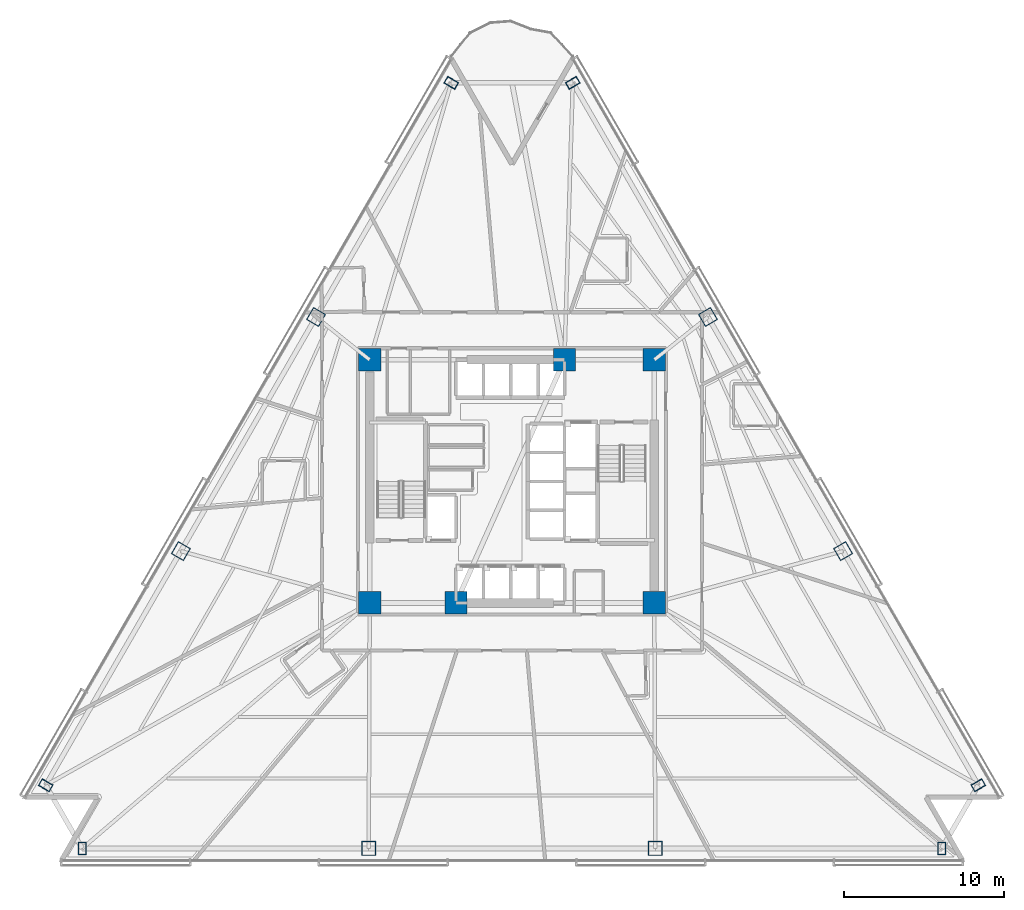
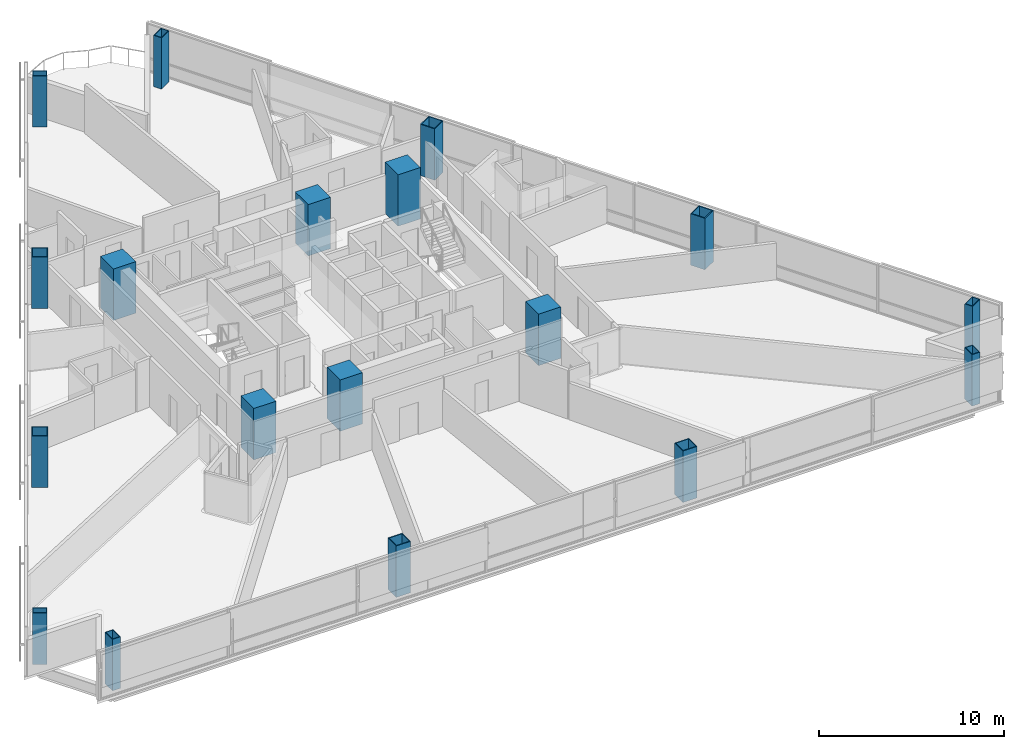
# One storey, part 1 of 18: 18 columns.
"""IFC4 building model written with IfcOpenShell, lengths in metres."""

from ifc_helpers import new_model, si_unit, direction, frame, origin, origin_2d, place, context, subcontext, project, spatial, rectangle, hollow_rectangle, extrude, material, material_profile, profile_set, type_object, element, save


model = new_model("IFC4")

# Units and contexts
model_context = context("Model", 3, precision=1e-05, world=origin(), true_north=direction((0.0, 1.0)))
body_context = subcontext(model_context, "Body", "Model", "MODEL_VIEW")
ifc_project = project(units=[si_unit("LENGTHUNIT", "METRE"), si_unit("AREAUNIT", "SQUARE_METRE"), si_unit("VOLUMEUNIT", "CUBIC_METRE"), si_unit("PLANEANGLEUNIT", "RADIAN"), si_unit("MASSUNIT", "GRAM", prefix="KILO")], contexts=[model_context])

# Site, building, storey
site_placement = place(None, origin())
site = spatial("IfcSite", under=ifc_project, at=site_placement, CompositionType="ELEMENT")
building_placement = place(site_placement, origin())
building = spatial("IfcBuilding", under=site, at=building_placement, Name="Tharavind Bronze Gate", CompositionType="ELEMENT")
storey_placement = place(building_placement, frame((0.0, 0.0, 38.64990234375)))
storey = spatial("IfcBuildingStorey", under=building, at=storey_placement, Name="L08", CompositionType="ELEMENT", Elevation=38.64990234375)

# Columns
ifc_material_1 = material(Name="Steel S460", Category="steel")
ifc_material_profile_1 = material_profile(ifc_material_1, hollow_rectangle(XDim=0.5, YDim=0.800048828125, WallThickness=0.0400390625, at=origin_2d()), Name="RHS800X500X40")
ifc_profile_set_1 = profile_set([ifc_material_profile_1], Name="Steel S460")
column_type_1 = type_object("IfcColumnType", Name="CORNER NOTCH COLUMN RHS800X500", PredefinedType="COLUMN", material=ifc_profile_set_1)
for number, where, z_axis, x_axis, name in (
    (1, (-3.800048828125, 24.918212890625, 0.0), (0.0, 0.0, 1.0), (0.500001511499, 0.866024531118, 0.0), "L08 perimeter column S1C1"),
    (2, (-29.15673828125, -19.0009765625, 0.0), (0.0, 0.0, 1.0), (0.500001511499, 0.866024531118, 0.0), "L08 perimeter column S1C4"),
    (3, (-26.876708984375, -22.949951171875, 0.0), (0.0, 0.0, 1.0), (1.0, 0.0, 0.0), "L08 perimeter column S2C1"),
    (4, (26.876708984375, -22.949951171875, 0.0), (0.0, 0.0, 1.0), (1.0, 0.0, 0.0), "L08 perimeter column S2C4"),
    (5, (29.15673828125, -19.0009765625, 0.0), (0.0, 0.0, 1.0), (-0.500001511499, 0.866024531118, 0.0), "L08 perimeter column S3C1"),
    (6, (3.800048828125, 24.918212890625, 0.0), (0.0, 0.0, 1.0), (-0.500001511499, 0.866024531118, 0.0), "L08 perimeter column S3C4"),
):
    element("IfcColumn", number, at=place(storey_placement, frame(where, z_axis=z_axis, x_axis=x_axis)), inside=storey, type_object=column_type_1, Name=name, PredefinedType="COLUMN", context=body_context, shape_type="SweptSolid", body=[
        extrude(hollow_rectangle(XDim=0.5, YDim=0.800048828125, WallThickness=0.0400390625, at=origin_2d()), origin(), (0.0, 0.0, 1.0), 3.400146484375),
    ])
ifc_material_2 = material(Name="Concrete C70/85", Category="concrete")
ifc_material_profile_2 = material_profile(ifc_material_2, rectangle(XDim=1.39990234375, YDim=1.39990234375, at=origin_2d()), Name="RCCOL1400")
ifc_profile_set_2 = profile_set([ifc_material_profile_2], Name="Concrete C70/85")
column_type_2 = type_object("IfcColumnType", Name="MEGA CORE COLUMN 1400", PredefinedType="COLUMN", material=ifc_profile_set_2)
for number, where, z_axis, x_axis, name in (
    (7, (-8.89990234375, -7.60009765625, 0.0), (0.0, 0.0, 1.0), (1.0, 0.0, 0.0), "L08 core mega column MC1"),
    (8, (-3.5, -7.60009765625, 0.0), (0.0, 0.0, 1.0), (1.0, 0.0, 0.0), "L08 core mega column MC2"),
    (9, (8.89990234375, -7.60009765625, 0.0), (0.0, 0.0, 1.0), (1.0, 0.0, 0.0), "L08 core mega column MC3"),
    (10, (8.89990234375, 7.60009765625, 0.0), (0.0, 0.0, 1.0), (1.0, 0.0, 0.0), "L08 core mega column MC4"),
    (11, (3.280029296875, 7.60009765625, 0.0), (0.0, 0.0, 1.0), (1.0, 0.0, 0.0), "L08 core mega column MC5"),
    (12, (-8.89990234375, 7.60009765625, 0.0), (0.0, 0.0, 1.0), (1.0, 0.0, 0.0), "L08 core mega column MC6"),
):
    element("IfcColumn", number, at=place(storey_placement, frame(where, z_axis=z_axis, x_axis=x_axis)), inside=storey, type_object=column_type_2, Name=name, PredefinedType="COLUMN", context=body_context, shape_type="SweptSolid", body=[
        extrude(rectangle(XDim=1.39990234375, YDim=1.39990234375, at=origin_2d()), origin(), (0.0, 0.0, 1.0), 3.400146484375),
    ])
ifc_material_profile_3 = material_profile(ifc_material_1, hollow_rectangle(XDim=0.89990234375, YDim=0.89990234375, WallThickness=0.050048828125, at=origin_2d()), Name="SHS900X50")
ifc_profile_set_3 = profile_set([ifc_material_profile_3], Name="Steel S460")
column_type_3 = type_object("IfcColumnType", Name="PERIMETER BOX COLUMN SHS900", PredefinedType="COLUMN", material=ifc_profile_set_3)
for number, where, z_axis, x_axis, name in (
    (13, (-12.252197265625, 10.278564453125, 0.0), (0.0, 0.0, 1.0), (0.500001511499, 0.866024531118, 0.0), "L08 perimeter column S1C2"),
    (14, (-20.70458984375, -4.361083984375, 0.0), (0.0, 0.0, 1.0), (0.500001511499, 0.866024531118, 0.0), "L08 perimeter column S1C3"),
    (15, (-8.958984375, -22.949951171875, 0.0), (0.0, 0.0, 1.0), (1.0, 0.0, 0.0), "L08 perimeter column S2C2"),
    (16, (8.958984375, -22.949951171875, 0.0), (0.0, 0.0, 1.0), (1.0, 0.0, 0.0), "L08 perimeter column S2C3"),
    (17, (20.70458984375, -4.361083984375, 0.0), (0.0, 0.0, 1.0), (-0.500001511499, 0.866024531118, 0.0), "L08 perimeter column S3C2"),
    (18, (12.252197265625, 10.278564453125, 0.0), (0.0, 0.0, 1.0), (-0.500001511499, 0.866024531118, 0.0), "L08 perimeter column S3C3"),
):
    element("IfcColumn", number, at=place(storey_placement, frame(where, z_axis=z_axis, x_axis=x_axis)), inside=storey, type_object=column_type_3, Name=name, PredefinedType="COLUMN", context=body_context, shape_type="SweptSolid", body=[
        extrude(hollow_rectangle(XDim=0.89990234375, YDim=0.89990234375, WallThickness=0.050048828125, at=origin_2d()), origin(), (0.0, 0.0, 1.0), 3.400146484375),
    ])

save(model, "model.ifc")
